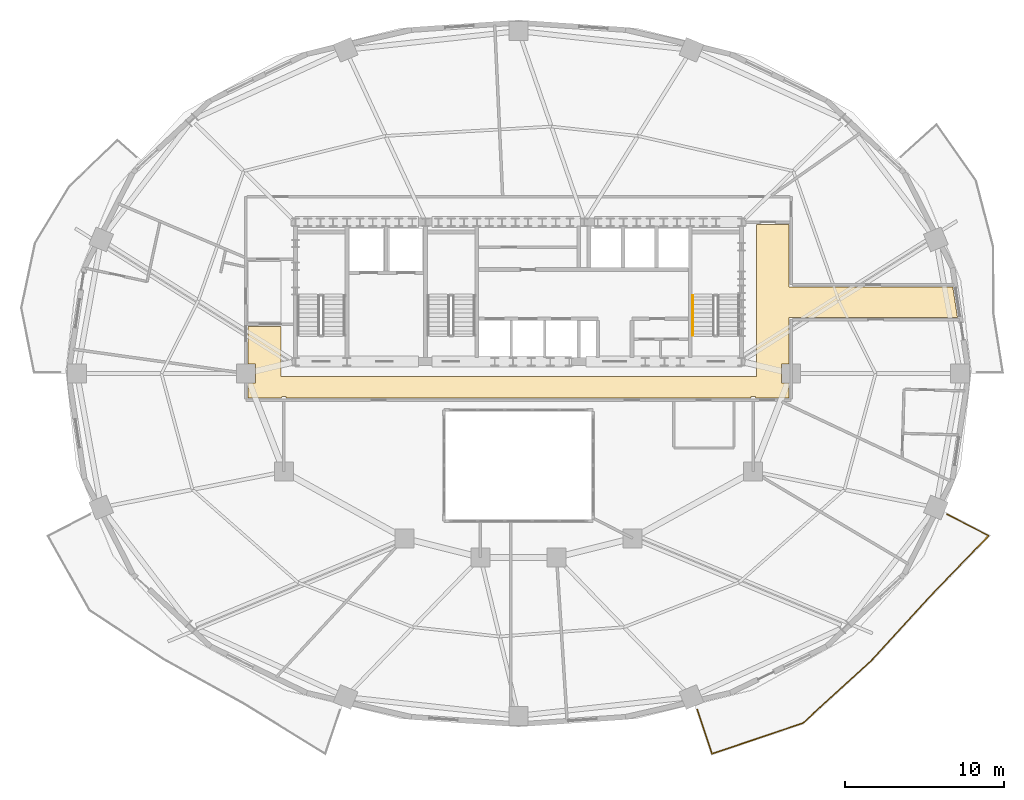
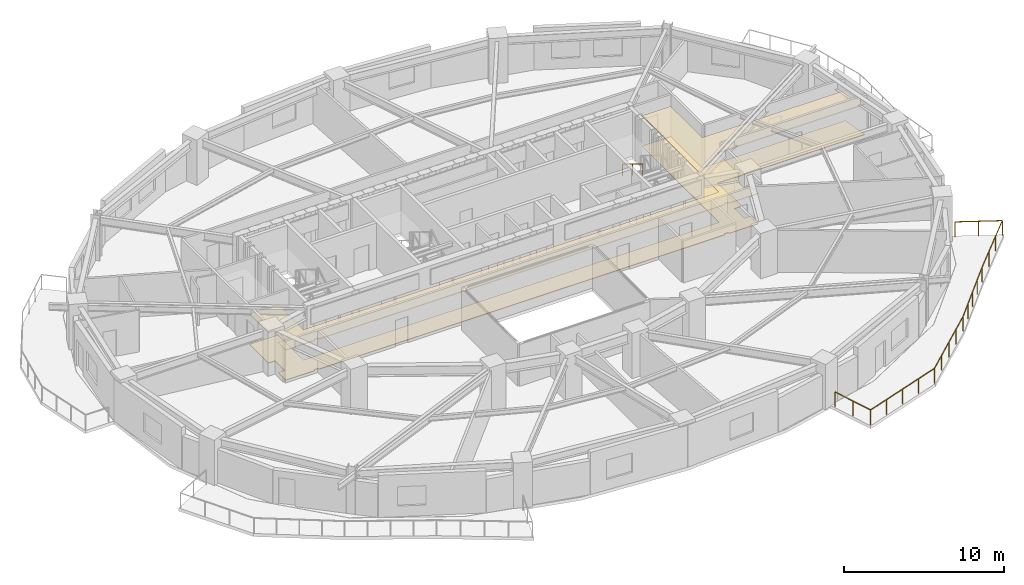
# One storey, part 12 of 13: 2 coverings, 2 railings.
"""IFC4 building model written with IfcOpenShell, lengths in metres."""

from ifc_helpers import new_model, si_unit, direction, frame, origin, origin_2d, place, context, subcontext, project, spatial, polyline, rectangle, outline, extrude, material, layer, layer_set, type_object, element, save


model = new_model("IFC4")

# Units and contexts
model_context = context("Model", 3, precision=1e-05, world=origin(), true_north=direction((0.0, 1.0)))
body_context = subcontext(model_context, "Body", "Model", "MODEL_VIEW")
ifc_project = project(units=[si_unit("LENGTHUNIT", "METRE"), si_unit("AREAUNIT", "SQUARE_METRE"), si_unit("VOLUMEUNIT", "CUBIC_METRE"), si_unit("PLANEANGLEUNIT", "RADIAN"), si_unit("MASSUNIT", "GRAM", prefix="KILO")], contexts=[model_context])

# Site, building, storey
site_placement = place(None, origin())
site = spatial("IfcSite", under=ifc_project, at=site_placement, CompositionType="ELEMENT")
building_placement = place(site_placement, origin())
building = spatial("IfcBuilding", under=site, at=building_placement, Name="Haldorwick Loom Tower", CompositionType="ELEMENT")
storey_placement = place(building_placement, frame((0.0, 0.0, 124.25)))
storey = spatial("IfcBuildingStorey", under=building, at=storey_placement, Name="L33", CompositionType="ELEMENT", Elevation=124.25)

# Coverings
ifc_material_1 = material(Name="Mineral Fibre Acoustic Ceiling Tile")
ifc_layer_1 = layer(ifc_material_1, 0.054931640625, Name="Mineral Fibre Acoustic Ceiling Tile")
ifc_layer_set_1 = layer_set([ifc_layer_1], Name="Mineral Fibre Acoustic Ceiling Tile")
covering_type_1 = type_object("IfcCoveringType", Name="ARC-COV-CEIL2", PredefinedType="CEILING", material=ifc_layer_set_1)
covering_1_placement = place(storey_placement, frame((0.0, 0.0, 2.302001953125)))
element("IfcCovering", 1, at=covering_1_placement, inside=storey, type_object=covering_type_1, Name="L33 Acoustic Suspended Ceiling 1", PredefinedType="CEILING", context=body_context, shape_type="SweptSolid", body=[
    extrude(outline(polyline([(18.93994140625, 26.60791015625), (19.407958984375, 26.60791015625), (19.407958984375, 25.39208984375), (18.948974609375, 25.39208984375), (18.940185546875, 24.43994140625), (21.06005859375, 24.43994140625), (21.06005859375, 24.52001953125), (21.06005859375, 24.52197265625), (21.060302734375, 24.52392578125), (21.060791015625, 24.52587890625), (21.0615234375, 24.527587890625), (21.0625, 24.529296875), (21.0634765625, 24.531005859375), (21.064453125, 24.53271484375), (21.06591796875, 24.5341796875), (21.0673828125, 24.535400390625), (21.06884765625, 24.53662109375), (21.070556640625, 24.53759765625), (21.072265625, 24.53857421875), (21.07421875, 24.5390625), (21.076171875, 24.53955078125), (21.077880859375, 24.539794921875), (21.080078125, 24.5400390625), (21.320068359375, 24.5400390625), (21.322021484375, 24.539794921875), (21.323974609375, 24.53955078125), (21.32568359375, 24.5390625), (21.32763671875, 24.53857421875), (21.329345703125, 24.53759765625), (21.3310546875, 24.53662109375), (21.332763671875, 24.535400390625), (21.333984375, 24.5341796875), (21.33544921875, 24.53271484375), (21.336669921875, 24.531005859375), (21.337646484375, 24.529296875), (21.33837890625, 24.527587890625), (21.339111328125, 24.52587890625), (21.339599609375, 24.52392578125), (21.33984375, 24.52197265625), (21.340087890625, 24.52001953125), (21.340087890625, 24.43994140625), (50.659912109375, 24.43994140625), (50.659912109375, 24.52001953125), (50.66015625, 24.52197265625), (50.660400390625, 24.52392578125), (50.660888671875, 24.52587890625), (50.66162109375, 24.527587890625), (50.662353515625, 24.529296875), (50.663330078125, 24.531005859375), (50.66455078125, 24.53271484375), (50.666015625, 24.5341796875), (50.667236328125, 24.535400390625), (50.6689453125, 24.53662109375), (50.670654296875, 24.53759765625), (50.67236328125, 24.53857421875), (50.67431640625, 24.5390625), (50.676025390625, 24.53955078125), (50.677978515625, 24.539794921875), (50.679931640625, 24.5400390625), (50.919921875, 24.5400390625), (50.922119140625, 24.539794921875), (50.923828125, 24.53955078125), (50.92578125, 24.5390625), (50.927734375, 24.53857421875), (50.929443359375, 24.53759765625), (50.93115234375, 24.53662109375), (50.9326171875, 24.535400390625), (50.93408203125, 24.5341796875), (50.935546875, 24.53271484375), (50.9365234375, 24.531005859375), (50.9375, 24.529296875), (50.9384765625, 24.527587890625), (50.939208984375, 24.52587890625), (50.939697265625, 24.52392578125), (50.93994140625, 24.52197265625), (50.93994140625, 24.52001953125), (50.93994140625, 24.43994140625), (53.06005859375, 24.43994140625), (53.06005859375, 25.39208984375), (52.592041015625, 25.39208984375), (52.592041015625, 26.60791015625), (53.06005859375, 26.60791015625), (53.06005859375, 29.52001953125), (53.06005859375, 29.52197265625), (53.060302734375, 29.52392578125), (53.060791015625, 29.52587890625), (53.0615234375, 29.527587890625), (53.0625, 29.529296875), (53.0634765625, 29.531005859375), (53.064453125, 29.53271484375), (53.06591796875, 29.5341796875), (53.0673828125, 29.535400390625), (53.06884765625, 29.53662109375), (53.070556640625, 29.53759765625), (53.072265625, 29.53857421875), (53.07421875, 29.5390625), (53.076171875, 29.53955078125), (53.077880859375, 29.539794921875), (53.080078125, 29.5400390625), (63.69140625, 29.5400390625), (63.398681640625, 31.4599609375), (53.080078125, 31.4599609375), (53.077880859375, 31.460205078125), (53.076171875, 31.46044921875), (53.07421875, 31.4609375), (53.072265625, 31.46142578125), (53.070556640625, 31.46240234375), (53.06884765625, 31.46337890625), (53.0673828125, 31.464599609375), (53.06591796875, 31.4658203125), (53.064453125, 31.46728515625), (53.0634765625, 31.468994140625), (53.0625, 31.470703125), (53.0615234375, 31.472412109375), (53.060791015625, 31.47412109375), (53.060302734375, 31.47607421875), (53.06005859375, 31.47802734375), (53.06005859375, 31.47998046875), (53.06005859375, 35.409912109375), (51.0, 35.409912109375), (51.0, 25.800048828125), (21.0, 25.800048828125), (21.0, 28.9599609375), (18.93994140625, 28.9599609375), (18.93994140625, 26.60791015625)])), origin(), (0.0, 0.0, 1.0), 0.054931640625),
])
ifc_material_2 = material(Name="Polished Aggregate Terrazzo Finish")
ifc_layer_2 = layer(ifc_material_2, 0.044921875, Name="Polished Aggregate Terrazzo Finish")
ifc_layer_set_2 = layer_set([ifc_layer_2], Name="Polished Aggregate Terrazzo Finish")
covering_type_2 = type_object("IfcCoveringType", Name="ARC-COV-FLOOR2", PredefinedType="FLOORING", material=ifc_layer_set_2)
covering_2_placement = place(storey_placement, origin())
element("IfcCovering", 2, at=covering_2_placement, inside=storey, type_object=covering_type_2, Name="L33 Floor Finish 1", PredefinedType="FLOORING", context=body_context, shape_type="SweptSolid", body=[
    extrude(outline(polyline([(18.93994140625, 26.60791015625), (19.407958984375, 26.60791015625), (19.407958984375, 25.39208984375), (18.948974609375, 25.39208984375), (18.940185546875, 24.43994140625), (21.06005859375, 24.43994140625), (21.06005859375, 24.52001953125), (21.06005859375, 24.52197265625), (21.060302734375, 24.52392578125), (21.060791015625, 24.52587890625), (21.0615234375, 24.527587890625), (21.0625, 24.529296875), (21.0634765625, 24.531005859375), (21.064453125, 24.53271484375), (21.06591796875, 24.5341796875), (21.0673828125, 24.535400390625), (21.06884765625, 24.53662109375), (21.070556640625, 24.53759765625), (21.072265625, 24.53857421875), (21.07421875, 24.5390625), (21.076171875, 24.53955078125), (21.077880859375, 24.539794921875), (21.080078125, 24.5400390625), (21.320068359375, 24.5400390625), (21.322021484375, 24.539794921875), (21.323974609375, 24.53955078125), (21.32568359375, 24.5390625), (21.32763671875, 24.53857421875), (21.329345703125, 24.53759765625), (21.3310546875, 24.53662109375), (21.332763671875, 24.535400390625), (21.333984375, 24.5341796875), (21.33544921875, 24.53271484375), (21.336669921875, 24.531005859375), (21.337646484375, 24.529296875), (21.33837890625, 24.527587890625), (21.339111328125, 24.52587890625), (21.339599609375, 24.52392578125), (21.33984375, 24.52197265625), (21.340087890625, 24.52001953125), (21.340087890625, 24.43994140625), (50.659912109375, 24.43994140625), (50.659912109375, 24.52001953125), (50.66015625, 24.52197265625), (50.660400390625, 24.52392578125), (50.660888671875, 24.52587890625), (50.66162109375, 24.527587890625), (50.662353515625, 24.529296875), (50.663330078125, 24.531005859375), (50.66455078125, 24.53271484375), (50.666015625, 24.5341796875), (50.667236328125, 24.535400390625), (50.6689453125, 24.53662109375), (50.670654296875, 24.53759765625), (50.67236328125, 24.53857421875), (50.67431640625, 24.5390625), (50.676025390625, 24.53955078125), (50.677978515625, 24.539794921875), (50.679931640625, 24.5400390625), (50.919921875, 24.5400390625), (50.922119140625, 24.539794921875), (50.923828125, 24.53955078125), (50.92578125, 24.5390625), (50.927734375, 24.53857421875), (50.929443359375, 24.53759765625), (50.93115234375, 24.53662109375), (50.9326171875, 24.535400390625), (50.93408203125, 24.5341796875), (50.935546875, 24.53271484375), (50.9365234375, 24.531005859375), (50.9375, 24.529296875), (50.9384765625, 24.527587890625), (50.939208984375, 24.52587890625), (50.939697265625, 24.52392578125), (50.93994140625, 24.52197265625), (50.93994140625, 24.52001953125), (50.93994140625, 24.43994140625), (53.06005859375, 24.43994140625), (53.06005859375, 25.39208984375), (52.592041015625, 25.39208984375), (52.592041015625, 26.60791015625), (53.06005859375, 26.60791015625), (53.06005859375, 29.52001953125), (53.06005859375, 29.52197265625), (53.060302734375, 29.52392578125), (53.060791015625, 29.52587890625), (53.0615234375, 29.527587890625), (53.0625, 29.529296875), (53.0634765625, 29.531005859375), (53.064453125, 29.53271484375), (53.06591796875, 29.5341796875), (53.0673828125, 29.535400390625), (53.06884765625, 29.53662109375), (53.070556640625, 29.53759765625), (53.072265625, 29.53857421875), (53.07421875, 29.5390625), (53.076171875, 29.53955078125), (53.077880859375, 29.539794921875), (53.080078125, 29.5400390625), (63.69140625, 29.5400390625), (63.398681640625, 31.4599609375), (53.080078125, 31.4599609375), (53.077880859375, 31.460205078125), (53.076171875, 31.46044921875), (53.07421875, 31.4609375), (53.072265625, 31.46142578125), (53.070556640625, 31.46240234375), (53.06884765625, 31.46337890625), (53.0673828125, 31.464599609375), (53.06591796875, 31.4658203125), (53.064453125, 31.46728515625), (53.0634765625, 31.468994140625), (53.0625, 31.470703125), (53.0615234375, 31.472412109375), (53.060791015625, 31.47412109375), (53.060302734375, 31.47607421875), (53.06005859375, 31.47802734375), (53.06005859375, 31.47998046875), (53.06005859375, 35.409912109375), (51.0, 35.409912109375), (51.0, 25.800048828125), (21.0, 25.800048828125), (21.0, 28.9599609375), (18.93994140625, 28.9599609375), (18.93994140625, 26.60791015625)])), origin(), (0.0, 0.0, 1.0), 0.044921875),
])

# Railings
ifc_material_3 = material(Name="Galvanized Steel CSA G40.21 350W", Category="steel")
railing_type_1 = type_object("IfcRailingType", Name="ARC-RLG-BAL115", PredefinedType="BALUSTRADE", material=ifc_material_3)
railing_1_placement = place(storey_placement, frame((63.02685546875, 17.119384765625, 0.0)))
element("IfcRailing", 3, at=railing_1_placement, inside=storey, type_object=railing_type_1, Name="L33 Outdoor Terrace Guardrail SLB-L33-BAL_SE-1", PredefinedType="BALUSTRADE", context=body_context, shape_type="SweptSolid", body=[
    extrude(rectangle(XDim=0.048095703125, YDim=0.048095703125, at=origin_2d()), frame((0.0, 0.0, 1.1259765625), z_axis=(0.888522136362, -0.458833753331, 0.0), x_axis=(0.458833753331, 0.888522136362, 0.0)), (0.0, 0.0, 1.0), 2.96533203125),
    extrude(rectangle(XDim=0.048095703125, YDim=0.048095703125, at=origin_2d()), frame((2.634765625, -1.360595703125, 1.1259765625), z_axis=(-0.694679962098, -0.719318948909, 0.0), x_axis=(0.719318948909, -0.694679962098, 0.0)), (0.0, 0.0, 1.0), 5.251708984375),
    extrude(rectangle(XDim=0.048095703125, YDim=0.048095703125, at=origin_2d()), frame((-1.013427734375, -5.13818359375, 1.1259765625), z_axis=(-0.707106781187, -0.707106781187, 0.0), x_axis=(0.707106781187, -0.707106781187, 0.0)), (0.0, 0.0, 1.0), 0.001953125),
    extrude(rectangle(XDim=0.048095703125, YDim=0.048095703125, at=origin_2d()), frame((-1.014892578125, -5.1396484375, 1.1259765625), z_axis=(-0.675251329949, -0.737587717768, 0.0), x_axis=(0.737587717768, -0.675251329949, 0.0)), (0.0, 0.0, 1.0), 5.467529296875),
    extrude(rectangle(XDim=0.048095703125, YDim=0.048095703125, at=origin_2d()), frame((-4.706787109375, -9.17236328125, 1.1259765625), z_axis=(-0.73778494617, -0.675035831053, 0.0), x_axis=(0.675035831053, -0.73778494617, 0.0)), (0.0, 0.0, 1.0), 5.941162109375),
    extrude(rectangle(XDim=0.048095703125, YDim=0.048095703125, at=origin_2d()), frame((-9.090087890625, -13.182861328125, 1.1259765625), z_axis=(-0.947542872121, -0.319628699419, 0.0), x_axis=(0.319628699419, -0.947542872121, 0.0)), (0.0, 0.0, 1.0), 6.0478515625),
    extrude(rectangle(XDim=0.048095703125, YDim=0.048095703125, at=origin_2d()), frame((-14.82080078125, -15.115966796875, 1.1259765625), z_axis=(-0.316574811994, 0.948567545518, 0.0), x_axis=(-0.948567545518, -0.316574811994, 0.0)), (0.0, 0.0, 1.0), 2.954345703125),
    extrude(rectangle(XDim=0.0419921875, YDim=0.0419921875, at=origin_2d()), origin(), (0.0, 0.0, 1.0), 1.101806640625),
    extrude(rectangle(XDim=0.0419921875, YDim=0.0419921875, at=origin_2d()), frame((1.3173828125, -0.68017578125, 0.0)), (0.0, 0.0, 1.0), 1.101806640625),
    extrude(rectangle(XDim=0.0419921875, YDim=0.0419921875, at=origin_2d()), frame((2.634765625, -1.360595703125, 0.0)), (0.0, 0.0, 1.0), 1.101806640625),
    extrude(rectangle(XDim=0.0419921875, YDim=0.0419921875, at=origin_2d()), frame((1.418701171875, -2.619873046875, 0.0)), (0.0, 0.0, 1.0), 1.101806640625),
    extrude(rectangle(XDim=0.0419921875, YDim=0.0419921875, at=origin_2d()), frame((0.20263671875, -3.87890625, 0.0)), (0.0, 0.0, 1.0), 1.101806640625),
    extrude(rectangle(XDim=0.0419921875, YDim=0.0419921875, at=origin_2d()), frame((-1.013427734375, -5.13818359375, 0.0)), (0.0, 0.0, 1.0), 1.101806640625),
    extrude(rectangle(XDim=0.0419921875, YDim=0.0419921875, at=origin_2d()), frame((-1.93798828125, -6.14794921875, 0.0)), (0.0, 0.0, 1.0), 1.101806640625),
    extrude(rectangle(XDim=0.0419921875, YDim=0.0419921875, at=origin_2d()), frame((-2.86083984375, -7.156005859375, 0.0)), (0.0, 0.0, 1.0), 1.101806640625),
    extrude(rectangle(XDim=0.0419921875, YDim=0.0419921875, at=origin_2d()), frame((-3.78369140625, -8.1640625, 0.0)), (0.0, 0.0, 1.0), 1.101806640625),
    extrude(rectangle(XDim=0.0419921875, YDim=0.0419921875, at=origin_2d()), frame((-4.706787109375, -9.17236328125, 0.0)), (0.0, 0.0, 1.0), 1.101806640625),
    extrude(rectangle(XDim=0.0419921875, YDim=0.0419921875, at=origin_2d()), frame((-5.802734375, -10.175048828125, 0.0)), (0.0, 0.0, 1.0), 1.101806640625),
    extrude(rectangle(XDim=0.0419921875, YDim=0.0419921875, at=origin_2d()), frame((-6.8984375, -11.177734375, 0.0)), (0.0, 0.0, 1.0), 1.101806640625),
    extrude(rectangle(XDim=0.0419921875, YDim=0.0419921875, at=origin_2d()), frame((-7.994140625, -12.18017578125, 0.0)), (0.0, 0.0, 1.0), 1.101806640625),
    extrude(rectangle(XDim=0.0419921875, YDim=0.0419921875, at=origin_2d()), frame((-9.090087890625, -13.182861328125, 0.0)), (0.0, 0.0, 1.0), 1.101806640625),
    extrude(rectangle(XDim=0.0419921875, YDim=0.0419921875, at=origin_2d()), frame((-10.522705078125, -13.666015625, 0.0)), (0.0, 0.0, 1.0), 1.101806640625),
    extrude(rectangle(XDim=0.0419921875, YDim=0.0419921875, at=origin_2d()), frame((-11.95556640625, -14.1494140625, 0.0)), (0.0, 0.0, 1.0), 1.101806640625),
    extrude(rectangle(XDim=0.0419921875, YDim=0.0419921875, at=origin_2d()), frame((-13.38818359375, -14.6328125, 0.0)), (0.0, 0.0, 1.0), 1.101806640625),
    extrude(rectangle(XDim=0.0419921875, YDim=0.0419921875, at=origin_2d()), frame((-14.82080078125, -15.115966796875, 0.0)), (0.0, 0.0, 1.0), 1.101806640625),
    extrude(rectangle(XDim=0.0419921875, YDim=0.0419921875, at=origin_2d()), frame((-15.28857421875, -13.71484375, 0.0)), (0.0, 0.0, 1.0), 1.101806640625),
    extrude(rectangle(XDim=0.0419921875, YDim=0.0419921875, at=origin_2d()), frame((-15.756103515625, -12.3134765625, 0.0)), (0.0, 0.0, 1.0), 1.101806640625),
])
ifc_material_4 = material(Name="Steel CSA G40.21 350W", Category="steel")
railing_type_2 = type_object("IfcRailingType", Name="ARC-RLG-HAND092", PredefinedType="HANDRAIL", material=ifc_material_4)
railing_2_placement = place(storey_placement, frame((47.0, 30.919921875, 1.8974609375)))
element("IfcRailing", 4, at=railing_2_placement, inside=storey, type_object=railing_type_2, Name="L33 ST-02 stair handrail 2", PredefinedType="HANDRAIL", context=body_context, shape_type="SweptSolid", body=[
    extrude(rectangle(XDim=0.048095703125, YDim=0.048095703125, at=origin_2d()), frame((0.0, 0.0, 0.8759765625), z_axis=(0.0, -0.851400495292, 0.524516154772), x_axis=(1.0, 0.0, 0.0)), (0.0, 0.0, 1.0), 2.9599609375),
    extrude(rectangle(XDim=0.0419921875, YDim=0.0419921875, at=origin_2d()), origin(), (0.0, 0.0, 1.0), 0.851806640625),
    extrude(rectangle(XDim=0.0419921875, YDim=0.0419921875, at=origin_2d()), frame((0.0, -1.260009765625, 0.7763671875)), (0.0, 0.0, 1.0), 0.851806640625),
    extrude(rectangle(XDim=0.0419921875, YDim=0.0419921875, at=origin_2d()), frame((0.0, -2.52001953125, 1.552490234375)), (0.0, 0.0, 1.0), 0.851806640625),
])

save(model, "model.ifc")
